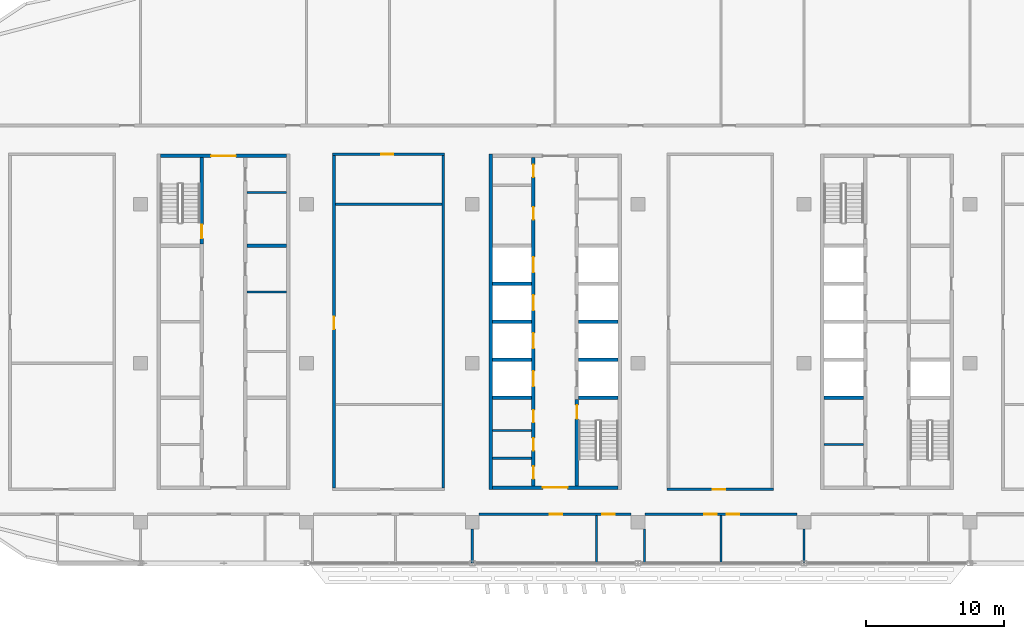
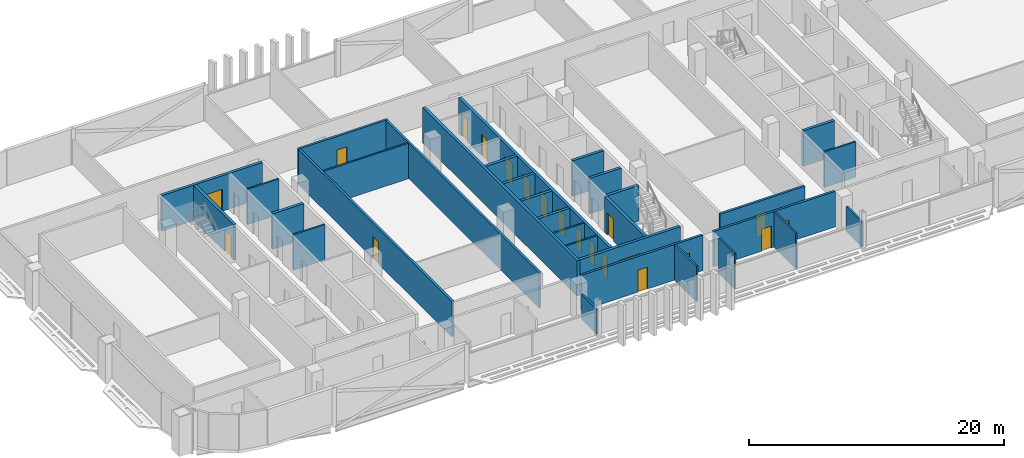
# One storey, part 18 of 33: 32 walls, 20 doors, 20 openings.
"""IFC4 building model written with IfcOpenShell, lengths in metres."""

from ifc_helpers import new_model, si_unit, direction, frame, frame_2d, origin, place, context, subcontext, project, spatial, rectangle, extrude, material, layer, layer_set, type_object, element, fill, save


model = new_model("IFC4")

# Units and contexts
model_context = context("Model", 3, precision=1e-05, world=origin(), true_north=direction((0.0, 1.0)))
body_context = subcontext(model_context, "Body", "Model", "MODEL_VIEW")
ifc_project = project(units=[si_unit("LENGTHUNIT", "METRE"), si_unit("AREAUNIT", "SQUARE_METRE"), si_unit("VOLUMEUNIT", "CUBIC_METRE"), si_unit("PLANEANGLEUNIT", "RADIAN"), si_unit("MASSUNIT", "GRAM", prefix="KILO")], contexts=[model_context])

# Site, building, storey
site_placement = place(None, origin())
site = spatial("IfcSite", under=ifc_project, at=site_placement, CompositionType="ELEMENT")
building_placement = place(site_placement, origin())
building = spatial("IfcBuilding", under=site, at=building_placement, Name="Mahtab Terrace Research Tower", CompositionType="ELEMENT")
storey_placement = place(building_placement, frame((0.0, 0.0, 255.199951171875)))
storey = spatial("IfcBuildingStorey", under=building, at=storey_placement, Name="L62", CompositionType="ELEMENT", Elevation=255.199951171875)

# Walls
ifc_material_1 = material(Name="Gypsum board partition")
ifc_layer_1 = layer(ifc_material_1, 0.14990234375)
ifc_layer_set_1 = layer_set([ifc_layer_1], Name="Core partition 150")
wall_type_1 = type_object("IfcWallType", Name="Core partition 150", PredefinedType="PARTITIONING", material=ifc_layer_set_1)
for number, where, z_axis, x_axis, name in (
    (1, (-22.300048828125, 5.14990234375, 0.0), (0.0, 0.0, 1.0), (1.0, 0.0, 0.0), "Core wall A pEL215"),
    (2, (-22.300048828125, 12.35498046875, 0.0), (0.0, 0.0, 1.0), (1.0, 0.0, 0.0), "Core wall A pEN936"),
    (3, (-4.550048828125, -6.875, 0.0), (0.0, 0.0, 1.0), (1.0, 0.0, 0.0), "Core wall B pWS-988"),
    (4, (-4.550048828125, -4.875, 0.0), (0.0, 0.0, 1.0), (1.0, 0.0, 0.0), "Core wall B pWS-788"),
    (5, (19.449951171875, -5.875, 0.0), (0.0, 0.0, 1.0), (1.0, 0.0, 0.0), "Core wall C pWS-888"),
):
    element("IfcWall", number, at=place(storey_placement, frame(where, z_axis=z_axis, x_axis=x_axis)), inside=storey, type_object=wall_type_1, Name=name, PredefinedType="PARTITIONING", context=body_context, shape_type="SweptSolid", body=[
        extrude(rectangle(XDim=2.85009765625, YDim=0.14990234375, at=frame_2d((1.425048828125, 0.0))), origin(), (0.0, 0.0, 1.0), 3.400146484375),
    ])

# Wall, opening, door
ifc_material_2 = material(Name="Concrete C70/85", Category="concrete")
ifc_layer_2 = layer(ifc_material_2, 0.25)
ifc_layer_set_2 = layer_set([ifc_layer_2], Name="Core wall 250")
wall_type_2 = type_object("IfcWallType", Name="Core wall 250", PredefinedType="SOLIDWALL", material=ifc_layer_set_2)
wall_1_placement = place(storey_placement, frame((-28.550048828125, 15.0, 0.0), z_axis=(0.0, 0.0, 1.0), x_axis=(1.0, 0.0, 0.0)))
wall_1 = element("IfcWall", 6, at=wall_1_placement, inside=storey, type_object=wall_type_2, Name="Core wall A endN", PredefinedType="SOLIDWALL", context=body_context, shape_type="SweptSolid", body=[
    extrude(rectangle(XDim=9.10009765625, YDim=0.25, at=frame_2d((4.550048828125, 0.0))), origin(), (0.0, 0.0, 1.0), 3.400146484375),
])
opening_1_placement = place(wall_1_placement, frame((3.64990234375, 0.0, 0.0)))
opening_1 = element("IfcOpeningElement", 7, at=opening_1_placement, cuts=wall_1, Name="Opening A-N1", PredefinedType="OPENING", context=body_context, shape_type="SweptSolid", body=[
    extrude(rectangle(XDim=1.800048828125, YDim=2.10009765625, at=frame_2d((0.89990234375, 1.050048828125))), frame((0.0, 0.135009765625, 0.0), z_axis=(0.0, -1.0, 0.0), x_axis=(1.0, 0.0, 0.0)), (0.0, 0.0, 1.0), 0.27001953125),
])
ifc_material_3 = material(Name="Steel fire door", Category="steel")
door_type_1 = type_object("IfcDoorType", Name="Lobby double door 1800x2100 1 HR", OperationType="DOUBLE_DOOR_SINGLE_SWING", PredefinedType="DOOR", material=ifc_material_3)
door_1_placement = place(opening_1_placement, origin())
door_1 = element("IfcDoor", 8, at=door_1_placement, inside=storey, type_object=door_type_1, Name="Core entrance door A N", OperationType="DOUBLE_DOOR_SINGLE_SWING", OverallHeight=2.10009765625, OverallWidth=1.800048828125, PredefinedType="DOOR", context=body_context, shape_type="SweptSolid", body=[
    extrude(rectangle(XDim=1.800048828125, YDim=2.10009765625, at=frame_2d((0.89990234375, 1.050048828125))), frame((0.0, 0.02490234375, 0.0), z_axis=(0.0, -1.0, 0.0), x_axis=(1.0, 0.0, 0.0)), (0.0, 0.0, 1.0), 0.050048828125),
])
fill(opening_1, door_1)

wall_2_placement = place(storey_placement, frame((-25.574951171875, 14.875, 0.0), z_axis=(0.0, 0.0, 1.0), x_axis=(0.0, -1.0, 0.0)))
wall_2 = element("IfcWall", 9, at=wall_2_placement, inside=storey, type_object=wall_type_2, Name="Core wall A innerWN", PredefinedType="SOLIDWALL", context=body_context, shape_type="SweptSolid", body=[
    extrude(rectangle(XDim=6.25, YDim=0.25, at=frame_2d((3.125, 0.0))), origin(), (0.0, 0.0, 1.0), 3.400146484375),
])
opening_2_placement = place(wall_2_placement, frame((4.85009765625, 0.0, 0.0)))
opening_2 = element("IfcOpeningElement", 10, at=opening_2_placement, cuts=wall_2, Name="Opening A-ST1", PredefinedType="OPENING", context=body_context, shape_type="SweptSolid", body=[
    extrude(rectangle(XDim=1.0, YDim=2.10009765625, at=frame_2d((0.5, 1.050048828125))), frame((0.0, 0.135009765625, 0.0), z_axis=(0.0, -1.0, 0.0), x_axis=(1.0, 0.0, 0.0)), (0.0, 0.0, 1.0), 0.27001953125),
])
door_type_2 = type_object("IfcDoorType", Name="Stair door 1000x2100 1.5 HR", OperationType="NOTDEFINED", PredefinedType="DOOR", material=ifc_material_3)
door_2_placement = place(opening_2_placement, origin())
door_2 = element("IfcDoor", 11, at=door_2_placement, inside=storey, type_object=door_type_2, Name="Stair door ST1 L62", OperationType="SINGLE_SWING_LEFT", OverallHeight=2.10009765625, OverallWidth=1.0, PredefinedType="DOOR", context=body_context, shape_type="SweptSolid", body=[
    extrude(rectangle(XDim=1.0, YDim=2.10009765625, at=frame_2d((0.5, 1.050048828125))), frame((0.0, 0.02490234375, 0.0), z_axis=(0.0, -1.0, 0.0), x_axis=(1.0, 0.0, 0.0)), (0.0, 0.0, 1.0), 0.050048828125),
])
fill(opening_2, door_2)

# Walls
wall_3_placement = place(storey_placement, frame((-22.300048828125, 8.5, 0.0), z_axis=(0.0, 0.0, 1.0), x_axis=(1.0, 0.0, 0.0)))
element("IfcWall", 12, at=wall_3_placement, inside=storey, type_object=wall_type_2, Name="Core wall A divE4", PredefinedType="SOLIDWALL", context=body_context, shape_type="SweptSolid", body=[
    extrude(rectangle(XDim=2.85009765625, YDim=0.25, at=frame_2d((1.425048828125, 0.0))), origin(), (0.0, 0.0, 1.0), 3.400146484375),
])
wall_4_placement = place(storey_placement, frame((-4.675048828125, 15.125, 0.0), z_axis=(0.0, 0.0, 1.0), x_axis=(0.0, -1.0, 0.0)))
element("IfcWall", 13, at=wall_4_placement, inside=storey, type_object=wall_type_2, Name="Core wall B outerW", PredefinedType="SOLIDWALL", context=body_context, shape_type="SweptSolid", body=[
    extrude(rectangle(XDim=24.25, YDim=0.25, at=frame_2d((12.125, 0.0))), origin(), (0.0, 0.0, 1.0), 3.400146484375),
])

# Wall, opening, door
wall_5_placement = place(storey_placement, frame((4.550048828125, -9.0, 0.0), z_axis=(0.0, 0.0, 1.0), x_axis=(-1.0, 0.0, 0.0)))
wall_5 = element("IfcWall", 14, at=wall_5_placement, inside=storey, type_object=wall_type_2, Name="Core wall B endS", PredefinedType="SOLIDWALL", context=body_context, shape_type="SweptSolid", body=[
    extrude(rectangle(XDim=9.10009765625, YDim=0.25, at=frame_2d((4.550048828125, 0.0))), origin(), (0.0, 0.0, 1.0), 3.400146484375),
])
opening_3_placement = place(wall_5_placement, frame((3.64990234375, 0.0, 0.0)))
opening_3 = element("IfcOpeningElement", 15, at=opening_3_placement, cuts=wall_5, Name="Opening B-S1", PredefinedType="OPENING", context=body_context, shape_type="SweptSolid", body=[
    extrude(rectangle(XDim=1.800048828125, YDim=2.10009765625, at=frame_2d((0.89990234375, 1.050048828125))), frame((0.0, 0.135009765625, 0.0), z_axis=(0.0, -1.0, 0.0), x_axis=(1.0, 0.0, 0.0)), (0.0, 0.0, 1.0), 0.27001953125),
])
door_3_placement = place(opening_3_placement, origin())
door_3 = element("IfcDoor", 16, at=door_3_placement, inside=storey, type_object=door_type_1, Name="Core entrance door B S", OperationType="DOUBLE_DOOR_SINGLE_SWING", OverallHeight=2.10009765625, OverallWidth=1.800048828125, PredefinedType="DOOR", context=body_context, shape_type="SweptSolid", body=[
    extrude(rectangle(XDim=1.800048828125, YDim=2.10009765625, at=frame_2d((0.89990234375, 1.050048828125))), frame((0.0, 0.02490234375, 0.0), z_axis=(0.0, -1.0, 0.0), x_axis=(1.0, 0.0, 0.0)), (0.0, 0.0, 1.0), 0.050048828125),
])
fill(opening_3, door_3)

# Wall, openings, doors
wall_6_placement = place(storey_placement, frame((-1.574951171875, -8.875, 0.0), z_axis=(0.0, 0.0, 1.0), x_axis=(0.0, 1.0, 0.0)))
wall_6 = element("IfcWall", 17, at=wall_6_placement, inside=storey, type_object=wall_type_2, Name="Core wall B innerWSLN", PredefinedType="SOLIDWALL", context=body_context, shape_type="SweptSolid", body=[
    extrude(rectangle(XDim=23.75, YDim=0.25, at=frame_2d((11.875, 0.0))), origin(), (0.0, 0.0, 1.0), 3.400146484375),
])
opening_4_placement = place(wall_6_placement, frame((7.199951171875, 0.0, 0.0)))
opening_4 = element("IfcOpeningElement", 18, at=opening_4_placement, cuts=wall_6, Name="Opening LD09-L62", PredefinedType="OPENING", context=body_context, shape_type="SweptSolid", body=[
    extrude(rectangle(XDim=1.10009765625, YDim=2.10009765625, at=frame_2d((0.550048828125, 1.050048828125))), frame((0.0, 0.135009765625, 0.0), z_axis=(0.0, -1.0, 0.0), x_axis=(1.0, 0.0, 0.0)), (0.0, 0.0, 1.0), 0.27001953125),
])
opening_5_placement = place(wall_6_placement, frame((9.949951171875, 0.0, 0.0)))
opening_5 = element("IfcOpeningElement", 19, at=opening_5_placement, cuts=wall_6, Name="Opening LD10-L62", PredefinedType="OPENING", context=body_context, shape_type="SweptSolid", body=[
    extrude(rectangle(XDim=1.10009765625, YDim=2.10009765625, at=frame_2d((0.550048828125, 1.050048828125))), frame((0.0, 0.135009765625, 0.0), z_axis=(0.0, -1.0, 0.0), x_axis=(1.0, 0.0, 0.0)), (0.0, 0.0, 1.0), 0.27001953125),
])
opening_6_placement = place(wall_6_placement, frame((12.699951171875, 0.0, 0.0)))
opening_6 = element("IfcOpeningElement", 20, at=opening_6_placement, cuts=wall_6, Name="Opening LD11-L62", PredefinedType="OPENING", context=body_context, shape_type="SweptSolid", body=[
    extrude(rectangle(XDim=1.10009765625, YDim=2.10009765625, at=frame_2d((0.550048828125, 1.050048828125))), frame((0.0, 0.135009765625, 0.0), z_axis=(0.0, -1.0, 0.0), x_axis=(1.0, 0.0, 0.0)), (0.0, 0.0, 1.0), 0.27001953125),
])
opening_7_placement = place(wall_6_placement, frame((15.449951171875, 0.0, 0.0)))
opening_7 = element("IfcOpeningElement", 21, at=opening_7_placement, cuts=wall_6, Name="Opening LD12-L62", PredefinedType="OPENING", context=body_context, shape_type="SweptSolid", body=[
    extrude(rectangle(XDim=1.10009765625, YDim=2.10009765625, at=frame_2d((0.550048828125, 1.050048828125))), frame((0.0, 0.135009765625, 0.0), z_axis=(0.0, -1.0, 0.0), x_axis=(1.0, 0.0, 0.0)), (0.0, 0.0, 1.0), 0.27001953125),
])
opening_8_placement = place(wall_6_placement, frame((0.512451171875, 0.0, 0.0)))
opening_8 = element("IfcOpeningElement", 22, at=opening_8_placement, cuts=wall_6, Name="Opening B-R1", PredefinedType="OPENING", context=body_context, shape_type="SweptSolid", body=[
    extrude(rectangle(XDim=0.89990234375, YDim=2.10009765625, at=frame_2d((0.449951171875, 1.050048828125))), frame((0.0, 0.135009765625, 0.0), z_axis=(0.0, -1.0, 0.0), x_axis=(1.0, 0.0, 0.0)), (0.0, 0.0, 1.0), 0.27001953125),
])
opening_9_placement = place(wall_6_placement, frame((2.550048828125, 0.0, 0.0)))
opening_9 = element("IfcOpeningElement", 23, at=opening_9_placement, cuts=wall_6, Name="Opening B-R2", PredefinedType="OPENING", context=body_context, shape_type="SweptSolid", body=[
    extrude(rectangle(XDim=0.89990234375, YDim=2.10009765625, at=frame_2d((0.449951171875, 1.050048828125))), frame((0.0, 0.135009765625, 0.0), z_axis=(0.0, -1.0, 0.0), x_axis=(1.0, 0.0, 0.0)), (0.0, 0.0, 1.0), 0.27001953125),
])
opening_10_placement = place(wall_6_placement, frame((4.58740234375, 0.0, 0.0)))
opening_10 = element("IfcOpeningElement", 24, at=opening_10_placement, cuts=wall_6, Name="Opening B-R3", PredefinedType="OPENING", context=body_context, shape_type="SweptSolid", body=[
    extrude(rectangle(XDim=0.89990234375, YDim=2.10009765625, at=frame_2d((0.449951171875, 1.050048828125))), frame((0.0, 0.135009765625, 0.0), z_axis=(0.0, -1.0, 0.0), x_axis=(1.0, 0.0, 0.0)), (0.0, 0.0, 1.0), 0.27001953125),
])
opening_11_placement = place(wall_6_placement, frame((19.262451171875, 0.0, 0.0)))
opening_11 = element("IfcOpeningElement", 25, at=opening_11_placement, cuts=wall_6, Name="Opening B-R4", PredefinedType="OPENING", context=body_context, shape_type="SweptSolid", body=[
    extrude(rectangle(XDim=0.89990234375, YDim=2.10009765625, at=frame_2d((0.449951171875, 1.050048828125))), frame((0.0, 0.135009765625, 0.0), z_axis=(0.0, -1.0, 0.0), x_axis=(1.0, 0.0, 0.0)), (0.0, 0.0, 1.0), 0.27001953125),
])
opening_12_placement = place(wall_6_placement, frame((22.33740234375, 0.0, 0.0)))
opening_12 = element("IfcOpeningElement", 26, at=opening_12_placement, cuts=wall_6, Name="Opening B-R5", PredefinedType="OPENING", context=body_context, shape_type="SweptSolid", body=[
    extrude(rectangle(XDim=0.89990234375, YDim=2.10009765625, at=frame_2d((0.449951171875, 1.050048828125))), frame((0.0, 0.135009765625, 0.0), z_axis=(0.0, -1.0, 0.0), x_axis=(1.0, 0.0, 0.0)), (0.0, 0.0, 1.0), 0.27001953125),
])
ifc_material_4 = material(Name="Stainless steel AISI 304", Category="steel")
door_type_3 = type_object("IfcDoorType", Name="Landing door 1100x2100", OperationType="DOUBLE_DOOR_SLIDING", PredefinedType="DOOR", material=ifc_material_4)
door_4_placement = place(opening_4_placement, origin())
door_4 = element("IfcDoor", 27, at=door_4_placement, inside=storey, type_object=door_type_3, Name="Landing door HR1 L62", OperationType="DOUBLE_DOOR_SLIDING", OverallHeight=2.10009765625, OverallWidth=1.10009765625, PredefinedType="DOOR", context=body_context, shape_type="SweptSolid", body=[
    extrude(rectangle(XDim=1.10009765625, YDim=2.10009765625, at=frame_2d((0.550048828125, 1.050048828125))), frame((0.0, 0.02490234375, 0.0), z_axis=(0.0, -1.0, 0.0), x_axis=(1.0, 0.0, 0.0)), (0.0, 0.0, 1.0), 0.050048828125),
])
fill(opening_4, door_4)
door_5_placement = place(opening_5_placement, origin())
door_5 = element("IfcDoor", 28, at=door_5_placement, inside=storey, type_object=door_type_3, Name="Landing door HR2 L62", OperationType="DOUBLE_DOOR_SLIDING", OverallHeight=2.10009765625, OverallWidth=1.10009765625, PredefinedType="DOOR", context=body_context, shape_type="SweptSolid", body=[
    extrude(rectangle(XDim=1.10009765625, YDim=2.10009765625, at=frame_2d((0.550048828125, 1.050048828125))), frame((0.0, 0.02490234375, 0.0), z_axis=(0.0, -1.0, 0.0), x_axis=(1.0, 0.0, 0.0)), (0.0, 0.0, 1.0), 0.050048828125),
])
fill(opening_5, door_5)
door_6_placement = place(opening_6_placement, origin())
door_6 = element("IfcDoor", 29, at=door_6_placement, inside=storey, type_object=door_type_3, Name="Landing door HR3 L62", OperationType="DOUBLE_DOOR_SLIDING", OverallHeight=2.10009765625, OverallWidth=1.10009765625, PredefinedType="DOOR", context=body_context, shape_type="SweptSolid", body=[
    extrude(rectangle(XDim=1.10009765625, YDim=2.10009765625, at=frame_2d((0.550048828125, 1.050048828125))), frame((0.0, 0.02490234375, 0.0), z_axis=(0.0, -1.0, 0.0), x_axis=(1.0, 0.0, 0.0)), (0.0, 0.0, 1.0), 0.050048828125),
])
fill(opening_6, door_6)
door_7_placement = place(opening_7_placement, origin())
door_7 = element("IfcDoor", 30, at=door_7_placement, inside=storey, type_object=door_type_3, Name="Landing door HR4 L62", OperationType="DOUBLE_DOOR_SLIDING", OverallHeight=2.10009765625, OverallWidth=1.10009765625, PredefinedType="DOOR", context=body_context, shape_type="SweptSolid", body=[
    extrude(rectangle(XDim=1.10009765625, YDim=2.10009765625, at=frame_2d((0.550048828125, 1.050048828125))), frame((0.0, 0.02490234375, 0.0), z_axis=(0.0, -1.0, 0.0), x_axis=(1.0, 0.0, 0.0)), (0.0, 0.0, 1.0), 0.050048828125),
])
fill(opening_7, door_7)
door_type_4 = type_object("IfcDoorType", Name="Room door 900x2100 1 HR", OperationType="NOTDEFINED", PredefinedType="DOOR", material=ifc_material_3)
door_8_placement = place(opening_8_placement, origin())
door_8 = element("IfcDoor", 31, at=door_8_placement, inside=storey, type_object=door_type_4, Name="Comms riser room door", OperationType="SINGLE_SWING_LEFT", OverallHeight=2.10009765625, OverallWidth=0.89990234375, PredefinedType="DOOR", context=body_context, shape_type="SweptSolid", body=[
    extrude(rectangle(XDim=0.89990234375, YDim=2.10009765625, at=frame_2d((0.449951171875, 1.050048828125))), frame((0.0, 0.02490234375, 0.0), z_axis=(0.0, -1.0, 0.0), x_axis=(1.0, 0.0, 0.0)), (0.0, 0.0, 1.0), 0.050048828125),
])
fill(opening_8, door_8)
door_9_placement = place(opening_9_placement, origin())
door_9 = element("IfcDoor", 32, at=door_9_placement, inside=storey, type_object=door_type_4, Name="Pantry door", OperationType="SINGLE_SWING_RIGHT", OverallHeight=2.10009765625, OverallWidth=0.89990234375, PredefinedType="DOOR", context=body_context, shape_type="SweptSolid", body=[
    extrude(rectangle(XDim=0.89990234375, YDim=2.10009765625, at=frame_2d((0.449951171875, 1.050048828125))), frame((0.0, 0.02490234375, 0.0), z_axis=(0.0, -1.0, 0.0), x_axis=(1.0, 0.0, 0.0)), (0.0, 0.0, 1.0), 0.050048828125),
])
fill(opening_9, door_9)
door_10_placement = place(opening_10_placement, origin())
door_10 = element("IfcDoor", 33, at=door_10_placement, inside=storey, type_object=door_type_4, Name="Cleaners store door", OperationType="SINGLE_SWING_LEFT", OverallHeight=2.10009765625, OverallWidth=0.89990234375, PredefinedType="DOOR", context=body_context, shape_type="SweptSolid", body=[
    extrude(rectangle(XDim=0.89990234375, YDim=2.10009765625, at=frame_2d((0.449951171875, 1.050048828125))), frame((0.0, 0.02490234375, 0.0), z_axis=(0.0, -1.0, 0.0), x_axis=(1.0, 0.0, 0.0)), (0.0, 0.0, 1.0), 0.050048828125),
])
fill(opening_10, door_10)
door_11_placement = place(opening_11_placement, origin())
door_11 = element("IfcDoor", 34, at=door_11_placement, inside=storey, type_object=door_type_4, Name="IT equipment room door", OperationType="SINGLE_SWING_RIGHT", OverallHeight=2.10009765625, OverallWidth=0.89990234375, PredefinedType="DOOR", context=body_context, shape_type="SweptSolid", body=[
    extrude(rectangle(XDim=0.89990234375, YDim=2.10009765625, at=frame_2d((0.449951171875, 1.050048828125))), frame((0.0, 0.02490234375, 0.0), z_axis=(0.0, -1.0, 0.0), x_axis=(1.0, 0.0, 0.0)), (0.0, 0.0, 1.0), 0.050048828125),
])
fill(opening_11, door_11)
door_12_placement = place(opening_12_placement, origin())
door_12 = element("IfcDoor", 35, at=door_12_placement, inside=storey, type_object=door_type_4, Name="Electrical riser room door", OperationType="SINGLE_SWING_LEFT", OverallHeight=2.10009765625, OverallWidth=0.89990234375, PredefinedType="DOOR", context=body_context, shape_type="SweptSolid", body=[
    extrude(rectangle(XDim=0.89990234375, YDim=2.10009765625, at=frame_2d((0.449951171875, 1.050048828125))), frame((0.0, 0.02490234375, 0.0), z_axis=(0.0, -1.0, 0.0), x_axis=(1.0, 0.0, 0.0)), (0.0, 0.0, 1.0), 0.050048828125),
])
fill(opening_12, door_12)

# Wall, opening, door
wall_7_placement = place(storey_placement, frame((1.574951171875, -8.875, 0.0), z_axis=(0.0, 0.0, 1.0), x_axis=(0.0, 1.0, 0.0)))
wall_7 = element("IfcWall", 36, at=wall_7_placement, inside=storey, type_object=wall_type_2, Name="Core wall B innerES", PredefinedType="SOLIDWALL", context=body_context, shape_type="SweptSolid", body=[
    extrude(rectangle(XDim=6.25, YDim=0.25, at=frame_2d((3.125, 0.0))), origin(), (0.0, 0.0, 1.0), 3.400146484375),
])
opening_13_placement = place(wall_7_placement, frame((4.85009765625, 0.0, 0.0)))
opening_13 = element("IfcOpeningElement", 37, at=opening_13_placement, cuts=wall_7, Name="Opening B-ST2", PredefinedType="OPENING", context=body_context, shape_type="SweptSolid", body=[
    extrude(rectangle(XDim=1.0, YDim=2.10009765625, at=frame_2d((0.5, 1.050048828125))), frame((0.0, 0.135009765625, 0.0), z_axis=(0.0, -1.0, 0.0), x_axis=(1.0, 0.0, 0.0)), (0.0, 0.0, 1.0), 0.27001953125),
])
door_13_placement = place(opening_13_placement, origin())
door_13 = element("IfcDoor", 38, at=door_13_placement, inside=storey, type_object=door_type_2, Name="Stair door ST2 L62", OperationType="SINGLE_SWING_RIGHT", OverallHeight=2.10009765625, OverallWidth=1.0, PredefinedType="DOOR", context=body_context, shape_type="SweptSolid", body=[
    extrude(rectangle(XDim=1.0, YDim=2.10009765625, at=frame_2d((0.5, 1.050048828125))), frame((0.0, 0.02490234375, 0.0), z_axis=(0.0, -1.0, 0.0), x_axis=(1.0, 0.0, 0.0)), (0.0, 0.0, 1.0), 0.050048828125),
])
fill(opening_13, door_13)

# Walls
for number, where, z_axis, x_axis, name in (
    (39, (-4.550048828125, -2.5, 0.0), (0.0, 0.0, 1.0), (1.0, 0.0, 0.0), "Core wall B divW0"),
    (40, (-4.550048828125, 0.25, 0.0), (0.0, 0.0, 1.0), (1.0, 0.0, 0.0), "Core wall B divW1"),
    (41, (-4.550048828125, 3.0, 0.0), (0.0, 0.0, 1.0), (1.0, 0.0, 0.0), "Core wall B divW2"),
    (42, (-4.550048828125, 5.75, 0.0), (0.0, 0.0, 1.0), (1.0, 0.0, 0.0), "Core wall B divW3"),
    (43, (1.699951171875, -2.5, 0.0), (0.0, 0.0, 1.0), (1.0, 0.0, 0.0), "Core wall B divE0"),
    (44, (1.699951171875, 0.25, 0.0), (0.0, 0.0, 1.0), (1.0, 0.0, 0.0), "Core wall B divE1"),
    (45, (1.699951171875, 3.0, 0.0), (0.0, 0.0, 1.0), (1.0, 0.0, 0.0), "Core wall B divE2"),
    (46, (19.449951171875, -2.5, 0.0), (0.0, 0.0, 1.0), (1.0, 0.0, 0.0), "Core wall C divW0"),
):
    element("IfcWall", number, at=place(storey_placement, frame(where, z_axis=z_axis, x_axis=x_axis)), inside=storey, type_object=wall_type_2, Name=name, PredefinedType="SOLIDWALL", context=body_context, shape_type="SweptSolid", body=[
        extrude(rectangle(XDim=2.85009765625, YDim=0.25, at=frame_2d((1.425048828125, 0.0))), origin(), (0.0, 0.0, 1.0), 3.400146484375),
    ])

# Wall, openings, doors
ifc_material_5 = material(Name="Gypsum board corridor wall on steel studs", Category="steel")
ifc_layer_3 = layer(ifc_material_5, 0.199951171875)
ifc_layer_set_3 = layer_set([ifc_layer_3], Name="WALL CORRIDOR 200")
wall_type_3 = type_object("IfcWallType", Name="WALL CORRIDOR 200", PredefinedType="PARTITIONING", material=ifc_layer_set_3)
wall_8_placement = place(storey_placement, frame((-5.5, -10.923095703125, 0.0), z_axis=(0.0, 0.0, 1.0), x_axis=(1.0, 0.0, 0.0)))
wall_8 = element("IfcWall", 47, at=wall_8_placement, inside=storey, type_object=wall_type_3, Name="L62-W004", PredefinedType="PARTITIONING", context=body_context, shape_type="SweptSolid", body=[
    extrude(rectangle(XDim=11.0, YDim=0.199951171875, at=frame_2d((5.5, 0.0))), origin(), (0.0, 0.0, 1.0), 3.400146484375),
])
opening_14_placement = place(wall_8_placement, frame((5.10009765625, 0.0, 0.0)))
opening_14 = element("IfcOpeningElement", 48, at=opening_14_placement, cuts=wall_8, Name="Opening L62-107", PredefinedType="OPENING", context=body_context, shape_type="SweptSolid", body=[
    extrude(rectangle(XDim=0.89990234375, YDim=2.10009765625, at=frame_2d((0.449951171875, 1.050048828125))), frame((0.0, 0.10986328125, 0.0), z_axis=(0.0, -1.0, 0.0), x_axis=(1.0, 0.0, 0.0)), (0.0, 0.0, 1.0), 0.219970703125),
])
opening_15_placement = place(wall_8_placement, frame((8.89990234375, 0.0, 0.0)))
opening_15 = element("IfcOpeningElement", 49, at=opening_15_placement, cuts=wall_8, Name="Opening L62-108", PredefinedType="OPENING", context=body_context, shape_type="SweptSolid", body=[
    extrude(rectangle(XDim=0.89990234375, YDim=2.10009765625, at=frame_2d((0.449951171875, 1.050048828125))), frame((0.0, 0.10986328125, 0.0), z_axis=(0.0, -1.0, 0.0), x_axis=(1.0, 0.0, 0.0)), (0.0, 0.0, 1.0), 0.219970703125),
])
ifc_material_6 = material(Name="Timber door leaf in steel frame", Category="steel")
door_type_5 = type_object("IfcDoorType", Name="DOOR 0900X2100 FD30S", OperationType="SINGLE_SWING_LEFT", PredefinedType="DOOR", material=ifc_material_6)
door_14_placement = place(opening_14_placement, origin())
door_14 = element("IfcDoor", 50, at=door_14_placement, inside=storey, type_object=door_type_5, Name="Door L62-107", OperationType="SINGLE_SWING_LEFT", OverallHeight=2.10009765625, OverallWidth=0.89990234375, PredefinedType="DOOR", context=body_context, shape_type="SweptSolid", body=[
    extrude(rectangle(XDim=0.89990234375, YDim=2.10009765625, at=frame_2d((0.449951171875, 1.050048828125))), frame((0.0, 0.02490234375, 0.0), z_axis=(0.0, -1.0, 0.0), x_axis=(1.0, 0.0, 0.0)), (0.0, 0.0, 1.0), 0.050048828125),
])
fill(opening_14, door_14)
door_15_placement = place(opening_15_placement, origin())
door_15 = element("IfcDoor", 51, at=door_15_placement, inside=storey, type_object=door_type_5, Name="Door L62-108", OperationType="SINGLE_SWING_LEFT", OverallHeight=2.10009765625, OverallWidth=0.89990234375, PredefinedType="DOOR", context=body_context, shape_type="SweptSolid", body=[
    extrude(rectangle(XDim=0.89990234375, YDim=2.10009765625, at=frame_2d((0.449951171875, 1.050048828125))), frame((0.0, 0.02490234375, 0.0), z_axis=(0.0, -1.0, 0.0), x_axis=(1.0, 0.0, 0.0)), (0.0, 0.0, 1.0), 0.050048828125),
])
fill(opening_15, door_15)

wall_9_placement = place(storey_placement, frame((6.5, -10.923095703125, 0.0), z_axis=(0.0, 0.0, 1.0), x_axis=(1.0, 0.0, 0.0)))
wall_9 = element("IfcWall", 52, at=wall_9_placement, inside=storey, type_object=wall_type_3, Name="L62-W005", PredefinedType="PARTITIONING", context=body_context, shape_type="SweptSolid", body=[
    extrude(rectangle(XDim=11.0, YDim=0.199951171875, at=frame_2d((5.5, 0.0))), origin(), (0.0, 0.0, 1.0), 3.400146484375),
])
opening_16_placement = place(wall_9_placement, frame((4.300048828125, 0.0, 0.0)))
opening_16 = element("IfcOpeningElement", 53, at=opening_16_placement, cuts=wall_9, Name="Opening L62-109", PredefinedType="OPENING", context=body_context, shape_type="SweptSolid", body=[
    extrude(rectangle(XDim=0.89990234375, YDim=2.10009765625, at=frame_2d((0.449951171875, 1.050048828125))), frame((0.0, 0.10986328125, 0.0), z_axis=(0.0, -1.0, 0.0), x_axis=(1.0, 0.0, 0.0)), (0.0, 0.0, 1.0), 0.219970703125),
])
opening_17_placement = place(wall_9_placement, frame((5.89990234375, 0.0, 0.0)))
opening_17 = element("IfcOpeningElement", 54, at=opening_17_placement, cuts=wall_9, Name="Opening L62-110", PredefinedType="OPENING", context=body_context, shape_type="SweptSolid", body=[
    extrude(rectangle(XDim=0.89990234375, YDim=2.10009765625, at=frame_2d((0.449951171875, 1.050048828125))), frame((0.0, 0.10986328125, 0.0), z_axis=(0.0, -1.0, 0.0), x_axis=(1.0, 0.0, 0.0)), (0.0, 0.0, 1.0), 0.219970703125),
])
door_16_placement = place(opening_16_placement, origin())
door_16 = element("IfcDoor", 55, at=door_16_placement, inside=storey, type_object=door_type_5, Name="Door L62-109", OperationType="SINGLE_SWING_RIGHT", OverallHeight=2.10009765625, OverallWidth=0.89990234375, PredefinedType="DOOR", context=body_context, shape_type="SweptSolid", body=[
    extrude(rectangle(XDim=0.89990234375, YDim=2.10009765625, at=frame_2d((0.449951171875, 1.050048828125))), frame((0.0, 0.02490234375, 0.0), z_axis=(0.0, -1.0, 0.0), x_axis=(1.0, 0.0, 0.0)), (0.0, 0.0, 1.0), 0.050048828125),
])
fill(opening_16, door_16)
door_17_placement = place(opening_17_placement, origin())
door_17 = element("IfcDoor", 56, at=door_17_placement, inside=storey, type_object=door_type_5, Name="Door L62-110", OperationType="SINGLE_SWING_LEFT", OverallHeight=2.10009765625, OverallWidth=0.89990234375, PredefinedType="DOOR", context=body_context, shape_type="SweptSolid", body=[
    extrude(rectangle(XDim=0.89990234375, YDim=2.10009765625, at=frame_2d((0.449951171875, 1.050048828125))), frame((0.0, 0.02490234375, 0.0), z_axis=(0.0, -1.0, 0.0), x_axis=(1.0, 0.0, 0.0)), (0.0, 0.0, 1.0), 0.050048828125),
])
fill(opening_17, door_17)

# Wall, opening, door
wall_10_placement = place(storey_placement, frame((8.10009765625, -9.125, 0.0), z_axis=(0.0, 0.0, 1.0), x_axis=(1.0, 0.0, 0.0)))
wall_10 = element("IfcWall", 57, at=wall_10_placement, inside=storey, type_object=wall_type_3, Name="L62-W011", PredefinedType="PARTITIONING", context=body_context, shape_type="SweptSolid", body=[
    extrude(rectangle(XDim=7.699951171875, YDim=0.199951171875, at=frame_2d((3.85009765625, 0.0))), origin(), (0.0, 0.0, 1.0), 3.400146484375),
])
opening_18_placement = place(wall_10_placement, frame((3.300048828125, 0.0, 0.0)))
opening_18 = element("IfcOpeningElement", 58, at=opening_18_placement, cuts=wall_10, Name="Opening L62-119", PredefinedType="OPENING", context=body_context, shape_type="SweptSolid", body=[
    extrude(rectangle(XDim=0.89990234375, YDim=2.10009765625, at=frame_2d((0.449951171875, 1.050048828125))), frame((0.0, 0.10986328125, 0.0), z_axis=(0.0, -1.0, 0.0), x_axis=(1.0, 0.0, 0.0)), (0.0, 0.0, 1.0), 0.219970703125),
])
door_18_placement = place(opening_18_placement, origin())
door_18 = element("IfcDoor", 59, at=door_18_placement, inside=storey, type_object=door_type_5, Name="Door L62-119", OperationType="SINGLE_SWING_LEFT", OverallHeight=2.10009765625, OverallWidth=0.89990234375, PredefinedType="DOOR", context=body_context, shape_type="SweptSolid", body=[
    extrude(rectangle(XDim=0.89990234375, YDim=2.10009765625, at=frame_2d((0.449951171875, 1.050048828125))), frame((0.0, 0.02490234375, 0.0), z_axis=(0.0, -1.0, 0.0), x_axis=(1.0, 0.0, 0.0)), (0.0, 0.0, 1.0), 0.050048828125),
])
fill(opening_18, door_18)

wall_11_placement = place(storey_placement, frame((-16.10009765625, 15.125, 0.0), z_axis=(0.0, 0.0, 1.0), x_axis=(1.0, 0.0, 0.0)))
wall_11 = element("IfcWall", 60, at=wall_11_placement, inside=storey, type_object=wall_type_3, Name="L62-W021", PredefinedType="PARTITIONING", context=body_context, shape_type="SweptSolid", body=[
    extrude(rectangle(XDim=8.10009765625, YDim=0.199951171875, at=frame_2d((4.050048828125, 0.0))), origin(), (0.0, 0.0, 1.0), 3.400146484375),
])
opening_19_placement = place(wall_11_placement, frame((3.5, 0.0, 0.0)))
opening_19 = element("IfcOpeningElement", 61, at=opening_19_placement, cuts=wall_11, Name="Opening L62-124", PredefinedType="OPENING", context=body_context, shape_type="SweptSolid", body=[
    extrude(rectangle(XDim=0.89990234375, YDim=2.10009765625, at=frame_2d((0.449951171875, 1.050048828125))), frame((0.0, 0.10986328125, 0.0), z_axis=(0.0, -1.0, 0.0), x_axis=(1.0, 0.0, 0.0)), (0.0, 0.0, 1.0), 0.219970703125),
])
door_19_placement = place(opening_19_placement, origin())
door_19 = element("IfcDoor", 62, at=door_19_placement, inside=storey, type_object=door_type_5, Name="Door L62-124", OperationType="SINGLE_SWING_RIGHT", OverallHeight=2.10009765625, OverallWidth=0.89990234375, PredefinedType="DOOR", context=body_context, shape_type="SweptSolid", body=[
    extrude(rectangle(XDim=0.89990234375, YDim=2.10009765625, at=frame_2d((0.449951171875, 1.050048828125))), frame((0.0, 0.02490234375, 0.0), z_axis=(0.0, -1.0, 0.0), x_axis=(1.0, 0.0, 0.0)), (0.0, 0.0, 1.0), 0.050048828125),
])
fill(opening_19, door_19)

wall_12_placement = place(storey_placement, frame((-16.0, -9.02490234375, 0.0), z_axis=(0.0, 0.0, 1.0), x_axis=(0.0, 1.0, 0.0)))
wall_12 = element("IfcWall", 63, at=wall_12_placement, inside=storey, type_object=wall_type_3, Name="L62-W033", PredefinedType="PARTITIONING", context=body_context, shape_type="SweptSolid", body=[
    extrude(rectangle(XDim=24.0498046875, YDim=0.199951171875, at=frame_2d((12.02490234375, 0.0))), origin(), (0.0, 0.0, 1.0), 3.400146484375),
])
opening_20_placement = place(wall_12_placement, frame((11.5, 0.0, 0.0)))
opening_20 = element("IfcOpeningElement", 64, at=opening_20_placement, cuts=wall_12, Name="Opening L62-120", PredefinedType="OPENING", context=body_context, shape_type="SweptSolid", body=[
    extrude(rectangle(XDim=0.89990234375, YDim=2.10009765625, at=frame_2d((0.449951171875, 1.050048828125))), frame((0.0, 0.10986328125, 0.0), z_axis=(0.0, -1.0, 0.0), x_axis=(1.0, 0.0, 0.0)), (0.0, 0.0, 1.0), 0.219970703125),
])
door_20_placement = place(opening_20_placement, origin())
door_20 = element("IfcDoor", 65, at=door_20_placement, inside=storey, type_object=door_type_5, Name="Door L62-120", OperationType="SINGLE_SWING_RIGHT", OverallHeight=2.10009765625, OverallWidth=0.89990234375, PredefinedType="DOOR", context=body_context, shape_type="SweptSolid", body=[
    extrude(rectangle(XDim=0.89990234375, YDim=2.10009765625, at=frame_2d((0.449951171875, 1.050048828125))), frame((0.0, 0.02490234375, 0.0), z_axis=(0.0, -1.0, 0.0), x_axis=(1.0, 0.0, 0.0)), (0.0, 0.0, 1.0), 0.050048828125),
])
fill(opening_20, door_20)

# Walls
wall_13_placement = place(storey_placement, frame((-8.10009765625, -9.02490234375, 0.0), z_axis=(0.0, 0.0, 1.0), x_axis=(0.0, 1.0, 0.0)))
element("IfcWall", 66, at=wall_13_placement, inside=storey, type_object=wall_type_3, Name="L62-W036", PredefinedType="PARTITIONING", context=body_context, shape_type="SweptSolid", body=[
    extrude(rectangle(XDim=24.0498046875, YDim=0.199951171875, at=frame_2d((12.02490234375, 0.0))), origin(), (0.0, 0.0, 1.0), 3.400146484375),
])
ifc_material_7 = material(Name="Gypsum board partition on steel studs", Category="steel")
ifc_layer_4 = layer(ifc_material_7, 0.14990234375)
ifc_layer_set_4 = layer_set([ifc_layer_4], Name="WALL PARTITION 150")
wall_type_4 = type_object("IfcWallType", Name="WALL PARTITION 150", PredefinedType="PARTITIONING", material=ifc_layer_set_4)
wall_14_placement = place(storey_placement, frame((-15.89990234375, 11.5, 0.0), z_axis=(0.0, 0.0, 1.0), x_axis=(1.0, 0.0, 0.0)))
element("IfcWall", 67, at=wall_14_placement, inside=storey, type_object=wall_type_4, Name="L62-W017", PredefinedType="PARTITIONING", context=body_context, shape_type="SweptSolid", body=[
    extrude(rectangle(XDim=7.699951171875, YDim=0.14990234375, at=frame_2d((3.85009765625, 0.0))), origin(), (0.0, 0.0, 1.0), 3.400146484375),
])
wall_15_placement = place(storey_placement, frame((-6.0, -14.447998046875, 0.0), z_axis=(0.0, 0.0, 1.0), x_axis=(0.0, 1.0, 0.0)))
element("IfcWall", 68, at=wall_15_placement, inside=storey, type_object=wall_type_4, Name="L62-W037", PredefinedType="PARTITIONING", context=body_context, shape_type="SweptSolid", body=[
    extrude(rectangle(XDim=2.447998046875, YDim=0.14990234375, at=frame_2d((1.22412109375, 0.0))), origin(), (0.0, 0.0, 1.0), 2.4013671875),
])
wall_16_placement = place(storey_placement, frame((3.0, -14.447998046875, 0.0), z_axis=(0.0, 0.0, 1.0), x_axis=(0.0, 1.0, 0.0)))
element("IfcWall", 69, at=wall_16_placement, inside=storey, type_object=wall_type_4, Name="L62-W039", PredefinedType="PARTITIONING", context=body_context, shape_type="SweptSolid", body=[
    extrude(rectangle(XDim=3.425048828125, YDim=0.14990234375, at=frame_2d((1.71240234375, 0.0))), origin(), (0.0, 0.0, 1.0), 3.400146484375),
])
wall_17_placement = place(storey_placement, frame((6.449951171875, -14.447998046875, 0.0), z_axis=(0.0, 0.0, 1.0), x_axis=(0.0, 1.0, 0.0)))
element("IfcWall", 70, at=wall_17_placement, inside=storey, type_object=wall_type_4, Name="L62-W040", PredefinedType="PARTITIONING", context=body_context, shape_type="SweptSolid", body=[
    extrude(rectangle(XDim=2.447998046875, YDim=0.14990234375, at=frame_2d((1.22412109375, 0.0))), origin(), (0.0, 0.0, 1.0), 3.400146484375),
])
wall_18_placement = place(storey_placement, frame((12.0, -14.447998046875, 0.0), z_axis=(0.0, 0.0, 1.0), x_axis=(0.0, 1.0, 0.0)))
element("IfcWall", 71, at=wall_18_placement, inside=storey, type_object=wall_type_4, Name="L62-W042", PredefinedType="PARTITIONING", context=body_context, shape_type="SweptSolid", body=[
    extrude(rectangle(XDim=3.425048828125, YDim=0.14990234375, at=frame_2d((1.71240234375, 0.0))), origin(), (0.0, 0.0, 1.0), 3.400146484375),
])
wall_19_placement = place(storey_placement, frame((18.0, -14.447998046875, 0.0), z_axis=(0.0, 0.0, 1.0), x_axis=(0.0, 1.0, 0.0)))
element("IfcWall", 72, at=wall_19_placement, inside=storey, type_object=wall_type_4, Name="L62-W045", PredefinedType="PARTITIONING", context=body_context, shape_type="SweptSolid", body=[
    extrude(rectangle(XDim=2.447998046875, YDim=0.14990234375, at=frame_2d((1.22412109375, 0.0))), origin(), (0.0, 0.0, 1.0), 2.4013671875),
])

save(model, "model.ifc")
